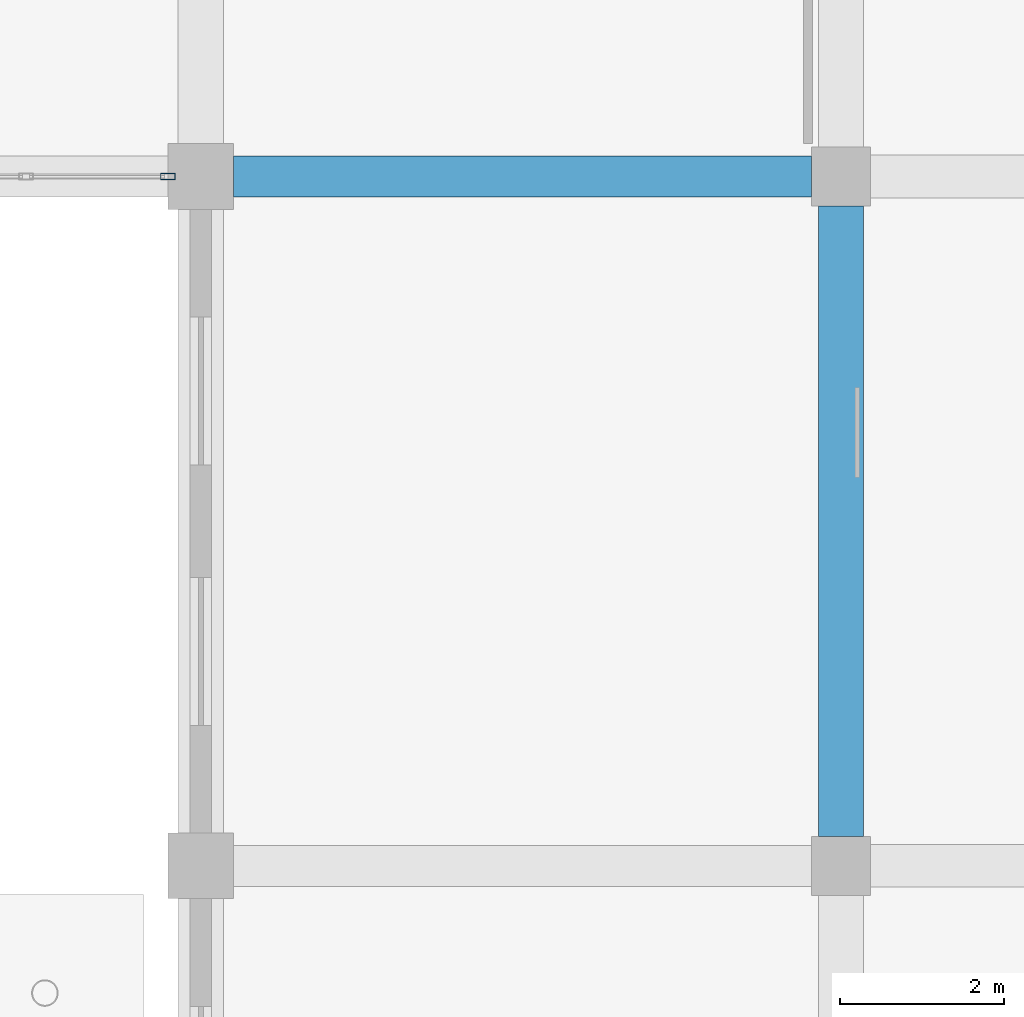
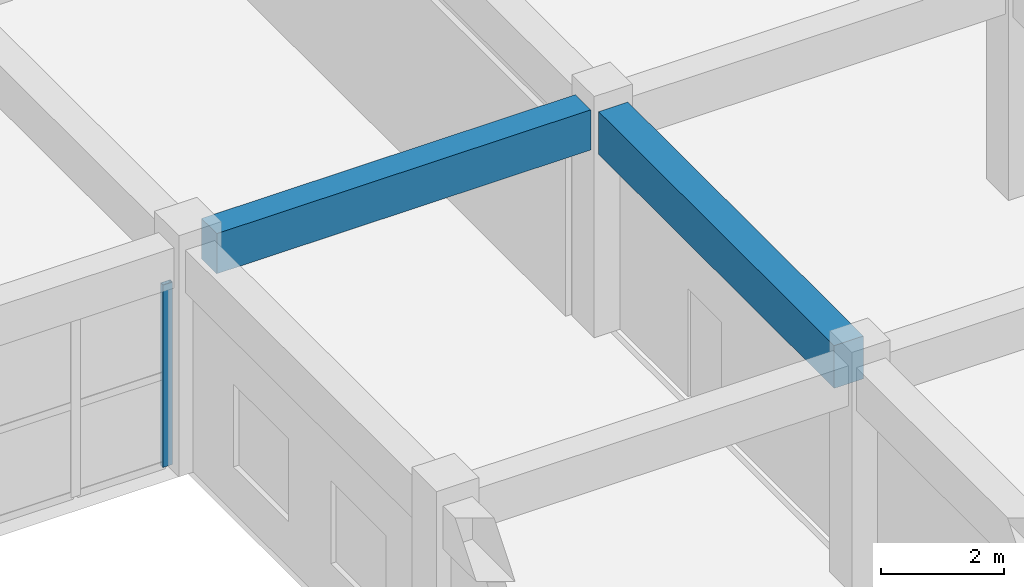
# One storey, part 73 of 139: 2 beams, 1 member, 1 element without a shape of its own.
"""IFC4 building model written with IfcOpenShell, lengths in metres."""

from ifc_helpers import new_model, si_unit, direction, frame, origin, origin_2d, place, context, subcontext, project, spatial, rectangle, hollow_rectangle, extrude, material, layer, layer_set, material_profile, profile_set, type_object, element, aggregate, save


model = new_model("IFC4")

# Units and contexts
model_context = context("Model", 3, precision=1e-05, world=origin(), true_north=direction((0.0, 1.0)))
body_context = subcontext(model_context, "Body", "Model", "MODEL_VIEW")
ifc_project = project(units=[si_unit("LENGTHUNIT", "METRE"), si_unit("AREAUNIT", "SQUARE_METRE"), si_unit("VOLUMEUNIT", "CUBIC_METRE"), si_unit("PLANEANGLEUNIT", "RADIAN"), si_unit("MASSUNIT", "GRAM", prefix="KILO")], contexts=[model_context])

# Site, building, storey
site_placement = place(None, origin())
site = spatial("IfcSite", under=ifc_project, at=site_placement, CompositionType="ELEMENT")
building_placement = place(site_placement, origin())
building = spatial("IfcBuilding", under=site, at=building_placement, Name="Zizhar Promenade General Hospital", CompositionType="ELEMENT")
storey_placement = place(building_placement, origin())
storey = spatial("IfcBuildingStorey", under=building, at=storey_placement, Name="L00", CompositionType="ELEMENT", Elevation=0.0)

# Beams
ifc_material_1 = material(Name="Concrete C35/45", Category="concrete")
ifc_material_profile_1 = material_profile(ifc_material_1, rectangle(XDim=0.5, YDim=0.800048828125, at=origin_2d()))
ifc_profile_set_1 = profile_set([ifc_material_profile_1], Name="Concrete C35/45")
beam_type_1 = type_object("IfcBeamType", Name="BM-RC-500x800", PredefinedType="BEAM", material=ifc_profile_set_1)
beam_1_placement = place(storey_placement, frame((125.199951171875, 92.39990234375, 4.070068359375), z_axis=(1.0, 0.0, 0.0), x_axis=(0.0, 1.0, 0.0)))
element("IfcBeam", 1, at=beam_1_placement, inside=storey, type_object=beam_type_1, Name="Grid Beam X L00 (16-11)", PredefinedType="BEAM", context=body_context, shape_type="SweptSolid", body=[
    extrude(rectangle(XDim=0.5, YDim=0.800048828125, at=origin_2d()), origin(), (0.0, 0.0, 1.0), 7.0400390625),
])
ifc_material_2 = material(Name="Concrete C35/45", Category="concrete")
ifc_material_profile_2 = material_profile(ifc_material_2, rectangle(XDim=0.550048828125, YDim=0.85009765625, at=origin_2d()))
ifc_profile_set_2 = profile_set([ifc_material_profile_2], Name="Concrete C35/45")
beam_type_2 = type_object("IfcBeamType", Name="BM-RC-550x850", PredefinedType="BEAM", material=ifc_profile_set_2)
beam_2_placement = place(storey_placement, frame((132.60009765625, 84.360107421875, 4.044921875), z_axis=(0.0, 1.0, 0.0), x_axis=(-1.0, 0.0, 0.0)))
element("IfcBeam", 2, at=beam_2_placement, inside=storey, type_object=beam_type_2, Name="Grid Beam Y L00 (17-10)", PredefinedType="BEAM", context=body_context, shape_type="SweptSolid", body=[
    extrude(rectangle(XDim=0.550048828125, YDim=0.85009765625, at=origin_2d()), origin(), (0.0, 0.0, 1.0), 7.679931640625),
])

# Curtain wall, member
ifc_material_3 = material(Name="Anodised aluminium 6063-T6 and low-E glass", Category="aluminium")
ifc_layer = layer(ifc_material_3, 0.159912109375)
ifc_layer_set = layer_set([ifc_layer], Name="Anodised aluminium 6063-T6 and low-E glass")
curtain_wall_type = type_object("IfcCurtainWallType", Name="CW-DT-MOD1", PredefinedType="NOTDEFINED", material=ifc_layer_set)
curtain_wall_placement = place(storey_placement, origin())
curtain_wall = element("IfcCurtainWall", 3, at=curtain_wall_placement, inside=storey, type_object=curtain_wall_type, Name="Garden Court North Surgical Glazing L00-15", PredefinedType="NOTDEFINED")
ifc_material_4 = material(Name="Anodised aluminium 6063-T6", Category="aluminium")
ifc_material_profile_3 = material_profile(ifc_material_4, hollow_rectangle(XDim=0.080078125, YDim=0.179931640625, WallThickness=0.0048828125, at=origin_2d()))
ifc_profile_set_3 = profile_set([ifc_material_profile_3], Name="Anodised aluminium 6063-T6")
member_type = type_object("IfcMemberType", Name="CWM-ALU-180x80", PredefinedType="MULLION", material=ifc_profile_set_3)
member_placement = place(storey_placement, frame((124.39990234375, 92.39990234375, 0.0), z_axis=(0.0, 0.0, 1.0), x_axis=(0.0, -1.0, 0.0)))
member = element("IfcMember", 4, at=member_placement, type_object=member_type, Name="CW-07 mullion 1", PredefinedType="MULLION", context=body_context, shape_type="SweptSolid", body=[
    extrude(hollow_rectangle(XDim=0.080078125, YDim=0.179931640625, WallThickness=0.0048828125, at=origin_2d()), origin(), (0.0, 0.0, 1.0), 3.6298828125),
])
aggregate(curtain_wall, [member])

save(model, "model.ifc")
